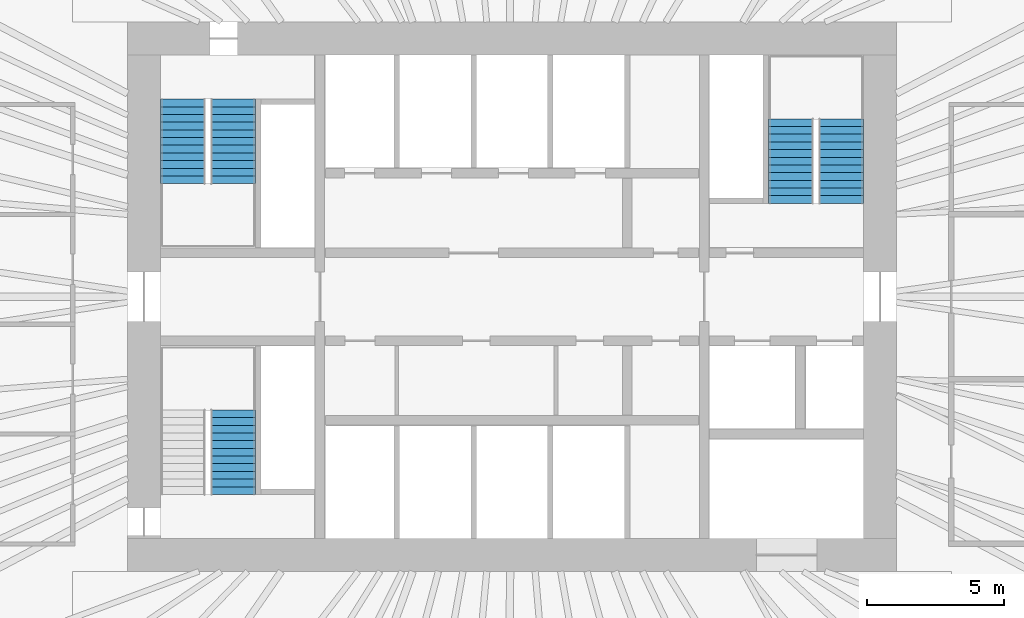
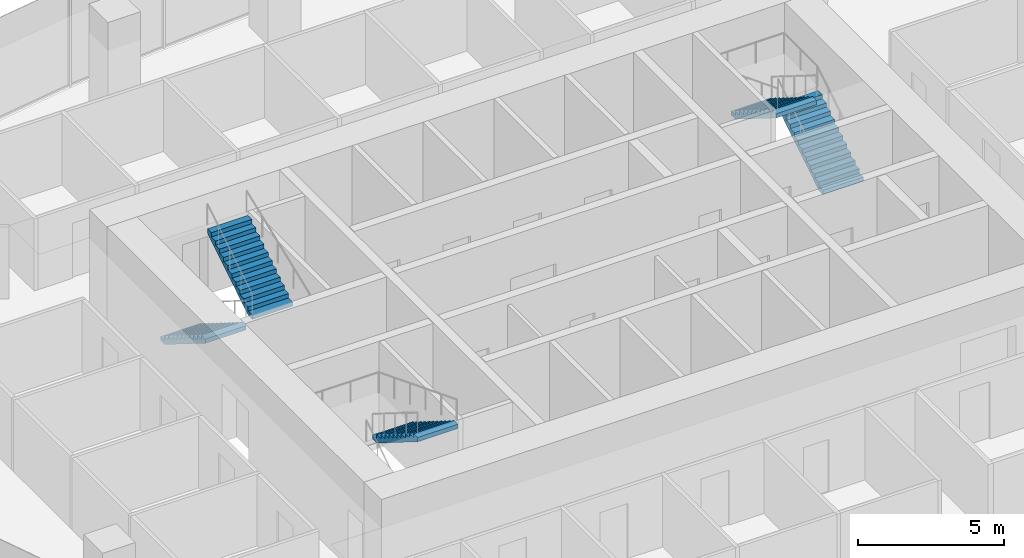
# One storey, part 11 of 12: 5 stair flights, 3 elements without a shape of their own.
"""IFC4 building model written with IfcOpenShell, lengths in metres."""

from ifc_helpers import new_model, si_unit, direction, frame, origin, place, context, subcontext, project, spatial, polyline, outline, extrude, material, type_object, element, aggregate, save


model = new_model("IFC4")

# Units and contexts
model_context = context("Model", 3, precision=1e-05, world=origin(), true_north=direction((0.0, 1.0)))
body_context = subcontext(model_context, "Body", "Model", "MODEL_VIEW")
ifc_project = project(units=[si_unit("LENGTHUNIT", "METRE"), si_unit("AREAUNIT", "SQUARE_METRE"), si_unit("VOLUMEUNIT", "CUBIC_METRE"), si_unit("PLANEANGLEUNIT", "RADIAN"), si_unit("MASSUNIT", "GRAM", prefix="KILO")], contexts=[model_context])

# Site, building, storey
site_placement = place(None, origin())
site = spatial("IfcSite", under=ifc_project, at=site_placement, CompositionType="ELEMENT")
building_placement = place(site_placement, origin())
building = spatial("IfcBuilding", under=site, at=building_placement, Name="Ghaith Harvest Tower", CompositionType="ELEMENT")
storey_placement = place(building_placement, frame((0.0, 0.0, 203.199951171875)))
storey = spatial("IfcBuildingStorey", under=building, at=storey_placement, Name="L44", CompositionType="ELEMENT", Elevation=203.199951171875)

# Stair, stair flights
ifc_material_1 = material(Name="Concrete C40/50, precast", Category="concrete")
stair_type = type_object("IfcStairType", Name="CORE STAIR 24R", PredefinedType="HALF_TURN_STAIR", material=ifc_material_1)
stair_1_placement = place(storey_placement, origin())
stair_1 = element("IfcStair", 1, at=stair_1_placement, inside=storey, type_object=stair_type, Name="Stair ST1 L44", PredefinedType="HALF_TURN_STAIR")
ifc_material_2 = material(Name="Concrete C40/50, precast", Category="concrete")
stair_flight_type = type_object("IfcStairFlightType", Name="CORE FLIGHT 12R 1600", PredefinedType="STRAIGHT", material=ifc_material_2)
stair_flight_1_placement = place(storey_placement, frame((-12.0, 7.199951171875, 0.0), z_axis=(0.0, 0.0, 1.0), x_axis=(0.0, -1.0, 0.0)))
stair_flight_1 = element("IfcStairFlight", 2, at=stair_flight_1_placement, type_object=stair_flight_type, Name="ST1 flight 1", NumberOfRisers=12, NumberOfTreads=11, PredefinedType="STRAIGHT", RiserHeight=0.175, TreadLength=0.28, context=body_context, shape_type="SweptSolid", body=[
    extrude(outline(polyline([(0.0, 0.0), (0.0, 0.175048828125), (0.280029296875, 0.175048828125), (0.280029296875, 0.35009765625), (0.56005859375, 0.35009765625), (0.56005859375, 0.52490234375), (0.840087890625, 0.52490234375), (0.840087890625, 0.699951171875), (1.1201171875, 0.699951171875), (1.1201171875, 0.875), (1.39990234375, 0.875), (1.39990234375, 1.050048828125), (1.679931640625, 1.050048828125), (1.679931640625, 1.22509765625), (1.9599609375, 1.22509765625), (1.9599609375, 1.39990234375), (2.239990234375, 1.39990234375), (2.239990234375, 1.574951171875), (2.52001953125, 1.574951171875), (2.52001953125, 1.75), (2.800048828125, 1.75), (2.800048828125, 1.925048828125), (3.080078125, 1.925048828125), (3.080078125, 2.10009765625), (3.080078125, 1.748291015625), (0.28271484375, 0.0), (0.0, 0.0)])), frame((0.0, 0.800048828125, 0.0), z_axis=(0.0, -1.0, 0.0), x_axis=(1.0, 0.0, 0.0)), (0.0, 0.0, 1.0), 1.60009765625),
])
stair_flight_2_placement = place(storey_placement, frame((-10.14990234375, 4.1201171875, 2.10009765625), z_axis=(0.0, 0.0, 1.0), x_axis=(0.0, 1.0, 0.0)))
stair_flight_2 = element("IfcStairFlight", 3, at=stair_flight_2_placement, type_object=stair_flight_type, Name="ST1 flight 2", NumberOfRisers=12, NumberOfTreads=11, PredefinedType="STRAIGHT", RiserHeight=0.175, TreadLength=0.28, context=body_context, shape_type="SweptSolid", body=[
    extrude(outline(polyline([(0.0, 0.0), (0.0, 0.175048828125), (0.280029296875, 0.175048828125), (0.280029296875, 0.35009765625), (0.56005859375, 0.35009765625), (0.56005859375, 0.52490234375), (0.840087890625, 0.52490234375), (0.840087890625, 0.699951171875), (1.1201171875, 0.699951171875), (1.1201171875, 0.875), (1.39990234375, 0.875), (1.39990234375, 1.050048828125), (1.679931640625, 1.050048828125), (1.679931640625, 1.22509765625), (1.9599609375, 1.22509765625), (1.9599609375, 1.39990234375), (2.239990234375, 1.39990234375), (2.239990234375, 1.574951171875), (2.52001953125, 1.574951171875), (2.52001953125, 1.75), (2.800048828125, 1.75), (2.800048828125, 1.925048828125), (3.080078125, 1.925048828125), (3.080078125, 2.10009765625), (3.080078125, 1.748291015625), (0.28271484375, 0.0), (0.0, 0.0)])), frame((0.0, 0.800048828125, 0.0), z_axis=(0.0, -1.0, 0.0), x_axis=(1.0, 0.0, 0.0)), (0.0, 0.0, 1.0), 1.60009765625),
])
aggregate(stair_1, [stair_flight_1, stair_flight_2])

# Stair, stair flight
stair_2_placement = place(storey_placement, origin())
stair_2 = element("IfcStair", 4, at=stair_2_placement, inside=storey, type_object=stair_type, Name="Stair ST3 L44", PredefinedType="HALF_TURN_STAIR")
stair_flight_3_placement = place(storey_placement, frame((-10.14990234375, -4.1201171875, 2.10009765625), z_axis=(0.0, 0.0, 1.0), x_axis=(0.0, -1.0, 0.0)))
stair_flight_3 = element("IfcStairFlight", 5, at=stair_flight_3_placement, type_object=stair_flight_type, Name="ST3 flight 2", NumberOfRisers=12, NumberOfTreads=11, PredefinedType="STRAIGHT", RiserHeight=0.175, TreadLength=0.28, context=body_context, shape_type="SweptSolid", body=[
    extrude(outline(polyline([(0.0, 0.0), (0.0, 0.175048828125), (0.280029296875, 0.175048828125), (0.280029296875, 0.35009765625), (0.56005859375, 0.35009765625), (0.56005859375, 0.52490234375), (0.840087890625, 0.52490234375), (0.840087890625, 0.699951171875), (1.1201171875, 0.699951171875), (1.1201171875, 0.875), (1.39990234375, 0.875), (1.39990234375, 1.050048828125), (1.679931640625, 1.050048828125), (1.679931640625, 1.22509765625), (1.9599609375, 1.22509765625), (1.9599609375, 1.39990234375), (2.239990234375, 1.39990234375), (2.239990234375, 1.574951171875), (2.52001953125, 1.574951171875), (2.52001953125, 1.75), (2.800048828125, 1.75), (2.800048828125, 1.925048828125), (3.080078125, 1.925048828125), (3.080078125, 2.10009765625), (3.080078125, 1.748291015625), (0.28271484375, 0.0), (0.0, 0.0)])), frame((0.0, 0.800048828125, 0.0), z_axis=(0.0, -1.0, 0.0), x_axis=(1.0, 0.0, 0.0)), (0.0, 0.0, 1.0), 1.60009765625),
])
aggregate(stair_2, [stair_flight_3])

# Stair, stair flights
stair_3_placement = place(storey_placement, origin())
stair_3 = element("IfcStair", 6, at=stair_3_placement, inside=storey, type_object=stair_type, Name="Stair ST2 L44", PredefinedType="HALF_TURN_STAIR")
stair_flight_4_placement = place(storey_placement, frame((12.0, 3.39990234375, 0.0), z_axis=(0.0, 0.0, 1.0), x_axis=(0.0, 1.0, 0.0)))
stair_flight_4 = element("IfcStairFlight", 7, at=stair_flight_4_placement, type_object=stair_flight_type, Name="ST2 flight 1", NumberOfRisers=12, NumberOfTreads=11, PredefinedType="STRAIGHT", RiserHeight=0.175, TreadLength=0.28, context=body_context, shape_type="SweptSolid", body=[
    extrude(outline(polyline([(0.0, 0.0), (0.0, 0.175048828125), (0.280029296875, 0.175048828125), (0.280029296875, 0.35009765625), (0.56005859375, 0.35009765625), (0.56005859375, 0.52490234375), (0.840087890625, 0.52490234375), (0.840087890625, 0.699951171875), (1.1201171875, 0.699951171875), (1.1201171875, 0.875), (1.39990234375, 0.875), (1.39990234375, 1.050048828125), (1.679931640625, 1.050048828125), (1.679931640625, 1.22509765625), (1.9599609375, 1.22509765625), (1.9599609375, 1.39990234375), (2.239990234375, 1.39990234375), (2.239990234375, 1.574951171875), (2.52001953125, 1.574951171875), (2.52001953125, 1.75), (2.800048828125, 1.75), (2.800048828125, 1.925048828125), (3.080078125, 1.925048828125), (3.080078125, 2.10009765625), (3.080078125, 1.748291015625), (0.28271484375, 0.0), (0.0, 0.0)])), frame((0.0, 0.800048828125, 0.0), z_axis=(0.0, -1.0, 0.0), x_axis=(1.0, 0.0, 0.0)), (0.0, 0.0, 1.0), 1.60009765625),
])
stair_flight_5_placement = place(storey_placement, frame((10.14990234375, 6.47998046875, 2.10009765625), z_axis=(0.0, 0.0, 1.0), x_axis=(0.0, -1.0, 0.0)))
stair_flight_5 = element("IfcStairFlight", 8, at=stair_flight_5_placement, type_object=stair_flight_type, Name="ST2 flight 2", NumberOfRisers=12, NumberOfTreads=11, PredefinedType="STRAIGHT", RiserHeight=0.175, TreadLength=0.28, context=body_context, shape_type="SweptSolid", body=[
    extrude(outline(polyline([(0.0, 0.0), (0.0, 0.175048828125), (0.280029296875, 0.175048828125), (0.280029296875, 0.35009765625), (0.56005859375, 0.35009765625), (0.56005859375, 0.52490234375), (0.840087890625, 0.52490234375), (0.840087890625, 0.699951171875), (1.1201171875, 0.699951171875), (1.1201171875, 0.875), (1.39990234375, 0.875), (1.39990234375, 1.050048828125), (1.679931640625, 1.050048828125), (1.679931640625, 1.22509765625), (1.9599609375, 1.22509765625), (1.9599609375, 1.39990234375), (2.239990234375, 1.39990234375), (2.239990234375, 1.574951171875), (2.52001953125, 1.574951171875), (2.52001953125, 1.75), (2.800048828125, 1.75), (2.800048828125, 1.925048828125), (3.080078125, 1.925048828125), (3.080078125, 2.10009765625), (3.080078125, 1.748291015625), (0.28271484375, 0.0), (0.0, 0.0)])), frame((0.0, 0.800048828125, 0.0), z_axis=(0.0, -1.0, 0.0), x_axis=(1.0, 0.0, 0.0)), (0.0, 0.0, 1.0), 1.60009765625),
])
aggregate(stair_3, [stair_flight_4, stair_flight_5])

save(model, "model.ifc")
